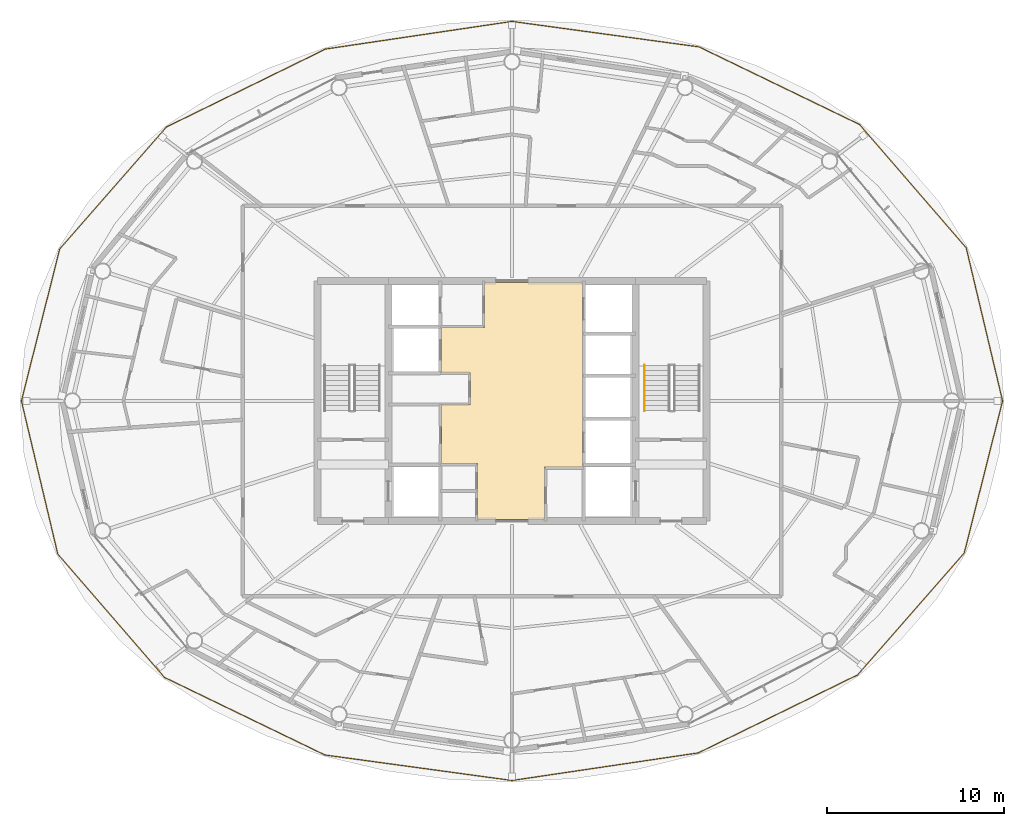
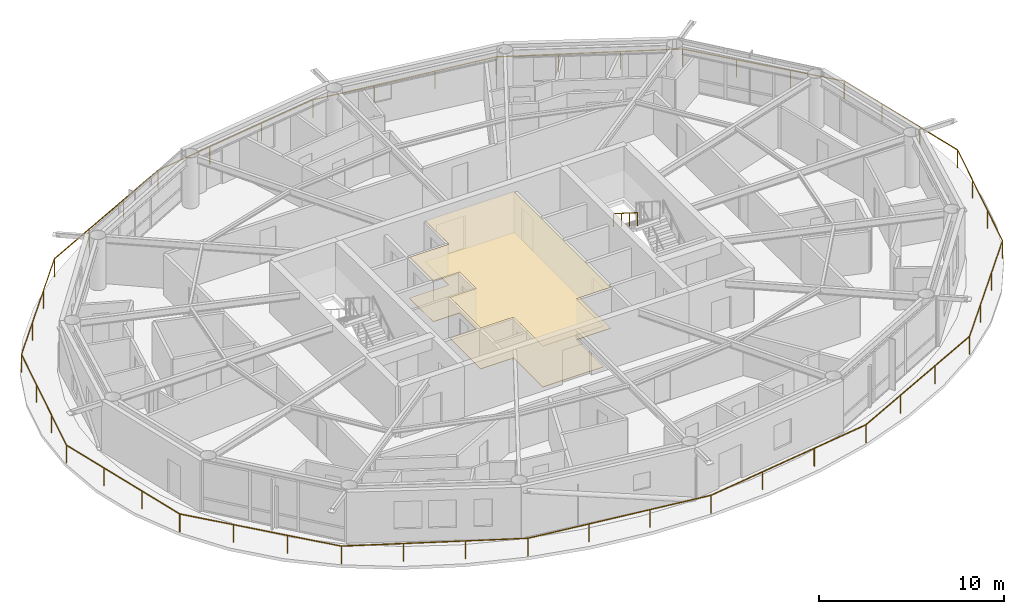
# One storey, part 22 of 23: 2 coverings, 2 railings.
"""IFC4 building model written with IfcOpenShell, lengths in metres."""

from ifc_helpers import new_model, si_unit, direction, frame, origin, origin_2d, place, context, subcontext, project, spatial, polyline, rectangle, outline, extrude, material, layer, layer_set, type_object, element, save


model = new_model("IFC4")

# Units and contexts
model_context = context("Model", 3, precision=1e-05, world=origin(), true_north=direction((0.0, 1.0)))
body_context = subcontext(model_context, "Body", "Model", "MODEL_VIEW")
ifc_project = project(units=[si_unit("LENGTHUNIT", "METRE"), si_unit("AREAUNIT", "SQUARE_METRE"), si_unit("VOLUMEUNIT", "CUBIC_METRE"), si_unit("PLANEANGLEUNIT", "RADIAN"), si_unit("MASSUNIT", "GRAM", prefix="KILO")], contexts=[model_context])

# Site, building, storey
site_placement = place(None, origin())
site = spatial("IfcSite", under=ifc_project, at=site_placement, CompositionType="ELEMENT")
building_placement = place(site_placement, origin())
building = spatial("IfcBuilding", under=site, at=building_placement, Name="Sarneth Arch Tower", CompositionType="ELEMENT")
storey_placement = place(building_placement, frame((0.0, 0.0, 224.39990234375)))
storey = spatial("IfcBuildingStorey", under=building, at=storey_placement, Name="L57", CompositionType="ELEMENT", Elevation=224.39990234375)

# Coverings
ifc_material_1 = material(Name="Perforated acoustic gypsum ceiling board")
ifc_layer_1 = layer(ifc_material_1, 0.02490234375)
ifc_layer_set_1 = layer_set([ifc_layer_1], Name="Perforated acoustic gypsum ceiling board")
covering_type_1 = type_object("IfcCoveringType", Name="COV-CEIL-GYP", PredefinedType="CEILING", material=ifc_layer_set_1)
covering_1_placement = place(storey_placement, frame((0.0, 0.0, 2.690185546875)))
element("IfcCovering", 1, at=covering_1_placement, inside=storey, type_object=covering_type_1, Name="L57 Lift lobby acoustic ceiling", PredefinedType="CEILING", context=body_context, shape_type="SweptSolid", body=[
    extrude(outline(polyline([(49.85009765625, 38.25), (49.85009765625, 35.300048828125), (46.050048828125, 35.300048828125), (46.050048828125, 38.449951171875), (44.0, 38.449951171875), (44.0, 41.800048828125), (45.64990234375, 41.800048828125), (45.64990234375, 43.580078125), (44.0, 43.580078125), (44.0, 46.14990234375), (46.449951171875, 46.14990234375), (46.449951171875, 48.699951171875), (52.0, 48.699951171875), (52.0, 38.25), (49.85009765625, 38.25)])), origin(), (0.0, 0.0, 1.0), 0.030029296875),
])
ifc_material_2 = material(Name="Honed granite stone flooring", Category="masonry")
ifc_layer_2 = layer(ifc_material_2, 0.030029296875)
ifc_layer_set_2 = layer_set([ifc_layer_2], Name="Honed granite stone flooring")
covering_type_2 = type_object("IfcCoveringType", Name="COV-FLR-STONE", PredefinedType="FLOORING", material=ifc_layer_set_2)
covering_2_placement = place(storey_placement, origin())
element("IfcCovering", 2, at=covering_2_placement, inside=storey, type_object=covering_type_2, Name="L57 Lift lobby granite flooring", PredefinedType="FLOORING", context=body_context, shape_type="SweptSolid", body=[
    extrude(outline(polyline([(49.85009765625, 38.25), (49.85009765625, 35.300048828125), (46.050048828125, 35.300048828125), (46.050048828125, 38.449951171875), (44.0, 38.449951171875), (44.0, 41.800048828125), (45.64990234375, 41.800048828125), (45.64990234375, 43.580078125), (44.0, 43.580078125), (44.0, 46.14990234375), (46.449951171875, 46.14990234375), (46.449951171875, 48.699951171875), (52.0, 48.699951171875), (52.0, 38.25), (49.85009765625, 38.25)])), origin(), (0.0, 0.0, 1.0), 0.030029296875),
])

# Railings
ifc_material_3 = material(Name="Laminated structural glass infill with Stainless Steel 316 top rail and posts", Category="steel")
railing_type_1 = type_object("IfcRailingType", Name="RAIL-BALC-1200", PredefinedType="BALUSTRADE", material=ifc_material_3)
railing_1_placement = place(storey_placement, frame((75.768310546875, 42.0, 0.0)))
element("IfcRailing", 3, at=railing_1_placement, inside=storey, type_object=railing_type_1, Name="L57 Helical balcony glass balustrade", PredefinedType="BALUSTRADE", context=body_context, shape_type="SweptSolid", body=[
    extrude(rectangle(XDim=0.048095703125, YDim=0.048095703125, at=origin_2d()), frame((0.0, 0.0, 1.17578125), z_axis=(-0.231221596617, 0.972901111757, 0.0), x_axis=(-0.972901111757, -0.231221596617, 0.0)), (0.0, 0.0, 1.0), 8.908447265625),
    extrude(rectangle(XDim=0.048095703125, YDim=0.048095703125, at=origin_2d()), frame((-2.059814453125, 8.6669921875, 1.17578125), z_axis=(-0.654200188269, 0.756321435415, 0.0), x_axis=(-0.756321435415, -0.654200188269, 0.0)), (0.0, 0.0, 1.0), 9.23046875),
    extrude(rectangle(XDim=0.048095703125, YDim=0.048095703125, at=origin_2d()), frame((-8.098388671875, 15.648193359375, 1.17578125), z_axis=(-0.900286527893, 0.435297791971, 0.0), x_axis=(-0.435297791971, -0.900286527893, 0.0)), (0.0, 0.0, 1.0), 10.08935546875),
    extrude(rectangle(XDim=0.048095703125, YDim=0.048095703125, at=origin_2d()), frame((-17.181640625, 20.0400390625, 1.17578125), z_axis=(-0.990842816923, 0.135020413837, 0.0), x_axis=(-0.135020413837, -0.990842816923, 0.0)), (0.0, 0.0, 1.0), 10.6845703125),
    extrude(rectangle(XDim=0.048095703125, YDim=0.048095703125, at=origin_2d()), frame((-27.768310546875, 21.482666015625, 1.17578125), z_axis=(-0.989194118456, -0.146611718538, 0.0), x_axis=(0.146611718538, -0.989194118456, 0.0)), (0.0, 0.0, 1.0), 10.6640625),
    extrude(rectangle(XDim=0.048095703125, YDim=0.048095703125, at=origin_2d()), frame((-38.317138671875, 19.919189453125, 1.17578125), z_axis=(-0.898079768789, -0.439832614629, 0.0), x_axis=(0.439832614629, -0.898079768789, 0.0)), (0.0, 0.0, 1.0), 10.036376953125),
    extrude(rectangle(XDim=0.048095703125, YDim=0.048095703125, at=origin_2d()), frame((-47.33056640625, 15.5048828125, 1.17578125), z_axis=(-0.658408442703, -0.75266082838, 0.0), x_axis=(0.75266082838, -0.658408442703, 0.0)), (0.0, 0.0, 1.0), 9.1669921875),
    extrude(rectangle(XDim=0.048095703125, YDim=0.048095703125, at=origin_2d()), frame((-53.3662109375, 8.605224609375, 1.17578125), z_axis=(-0.244561103578, -0.96963388277, 0.0), x_axis=(0.96963388277, -0.244561103578, 0.0)), (0.0, 0.0, 1.0), 8.874755859375),
    extrude(rectangle(XDim=0.048095703125, YDim=0.048095703125, at=origin_2d()), frame((-55.53662109375, 0.0, 1.17578125), z_axis=(0.231221596617, -0.972901111757, 0.0), x_axis=(0.972901111757, 0.231221596617, 0.0)), (0.0, 0.0, 1.0), 8.908447265625),
    extrude(rectangle(XDim=0.048095703125, YDim=0.048095703125, at=origin_2d()), frame((-53.476806640625, -8.6669921875, 1.17578125), z_axis=(0.654200188269, -0.756321435415, 0.0), x_axis=(0.756321435415, 0.654200188269, 0.0)), (0.0, 0.0, 1.0), 9.23046875),
    extrude(rectangle(XDim=0.048095703125, YDim=0.048095703125, at=origin_2d()), frame((-47.438232421875, -15.648193359375, 1.17578125), z_axis=(0.900286527893, -0.435297791971, 0.0), x_axis=(0.435297791971, 0.900286527893, 0.0)), (0.0, 0.0, 1.0), 10.08935546875),
    extrude(rectangle(XDim=0.048095703125, YDim=0.048095703125, at=origin_2d()), frame((-38.35498046875, -20.0400390625, 1.17578125), z_axis=(0.990842816923, -0.135020413837, 0.0), x_axis=(0.135020413837, 0.990842816923, 0.0)), (0.0, 0.0, 1.0), 10.6845703125),
    extrude(rectangle(XDim=0.048095703125, YDim=0.048095703125, at=origin_2d()), frame((-27.768310546875, -21.482666015625, 1.17578125), z_axis=(0.989194118456, 0.146611718538, 0.0), x_axis=(-0.146611718538, 0.989194118456, 0.0)), (0.0, 0.0, 1.0), 10.6640625),
    extrude(rectangle(XDim=0.048095703125, YDim=0.048095703125, at=origin_2d()), frame((-17.219482421875, -19.919189453125, 1.17578125), z_axis=(0.898079768789, 0.439832614629, 0.0), x_axis=(-0.439832614629, 0.898079768789, 0.0)), (0.0, 0.0, 1.0), 10.036376953125),
    extrude(rectangle(XDim=0.048095703125, YDim=0.048095703125, at=origin_2d()), frame((-8.2060546875, -15.5048828125, 1.17578125), z_axis=(0.658408442703, 0.75266082838, 0.0), x_axis=(-0.75266082838, 0.658408442703, 0.0)), (0.0, 0.0, 1.0), 9.1669921875),
    extrude(rectangle(XDim=0.048095703125, YDim=0.048095703125, at=origin_2d()), frame((-2.17041015625, -8.605224609375, 1.17578125), z_axis=(0.244561103578, 0.96963388277, 0.0), x_axis=(-0.96963388277, 0.244561103578, 0.0)), (0.0, 0.0, 1.0), 8.874755859375),
    extrude(rectangle(XDim=0.0419921875, YDim=0.0419921875, at=origin_2d()), origin(), (0.0, 0.0, 1.0), 1.15185546875),
    extrude(rectangle(XDim=0.0419921875, YDim=0.0419921875, at=origin_2d()), frame((-0.6865234375, 2.888916015625, 0.0)), (0.0, 0.0, 1.0), 1.15185546875),
    extrude(rectangle(XDim=0.0419921875, YDim=0.0419921875, at=origin_2d()), frame((-1.373291015625, 5.778076171875, 0.0)), (0.0, 0.0, 1.0), 1.15185546875),
    extrude(rectangle(XDim=0.0419921875, YDim=0.0419921875, at=origin_2d()), frame((-2.059814453125, 8.6669921875, 0.0)), (0.0, 0.0, 1.0), 1.15185546875),
    extrude(rectangle(XDim=0.0419921875, YDim=0.0419921875, at=origin_2d()), frame((-4.07275390625, 10.994140625, 0.0)), (0.0, 0.0, 1.0), 1.15185546875),
    extrude(rectangle(XDim=0.0419921875, YDim=0.0419921875, at=origin_2d()), frame((-6.08544921875, 13.321044921875, 0.0)), (0.0, 0.0, 1.0), 1.15185546875),
    extrude(rectangle(XDim=0.0419921875, YDim=0.0419921875, at=origin_2d()), frame((-8.098388671875, 15.648193359375, 0.0)), (0.0, 0.0, 1.0), 1.15185546875),
    extrude(rectangle(XDim=0.0419921875, YDim=0.0419921875, at=origin_2d()), frame((-11.126220703125, 17.112060546875, 0.0)), (0.0, 0.0, 1.0), 1.15185546875),
    extrude(rectangle(XDim=0.0419921875, YDim=0.0419921875, at=origin_2d()), frame((-14.15380859375, 18.576171875, 0.0)), (0.0, 0.0, 1.0), 1.15185546875),
    extrude(rectangle(XDim=0.0419921875, YDim=0.0419921875, at=origin_2d()), frame((-17.181640625, 20.0400390625, 0.0)), (0.0, 0.0, 1.0), 1.15185546875),
    extrude(rectangle(XDim=0.0419921875, YDim=0.0419921875, at=origin_2d()), frame((-20.71044921875, 20.52099609375, 0.0)), (0.0, 0.0, 1.0), 1.15185546875),
    extrude(rectangle(XDim=0.0419921875, YDim=0.0419921875, at=origin_2d()), frame((-24.239501953125, 21.001708984375, 0.0)), (0.0, 0.0, 1.0), 1.15185546875),
    extrude(rectangle(XDim=0.0419921875, YDim=0.0419921875, at=origin_2d()), frame((-27.768310546875, 21.482666015625, 0.0)), (0.0, 0.0, 1.0), 1.15185546875),
    extrude(rectangle(XDim=0.0419921875, YDim=0.0419921875, at=origin_2d()), frame((-31.28466796875, 20.96142578125, 0.0)), (0.0, 0.0, 1.0), 1.15185546875),
    extrude(rectangle(XDim=0.0419921875, YDim=0.0419921875, at=origin_2d()), frame((-34.80078125, 20.4404296875, 0.0)), (0.0, 0.0, 1.0), 1.15185546875),
    extrude(rectangle(XDim=0.0419921875, YDim=0.0419921875, at=origin_2d()), frame((-38.317138671875, 19.919189453125, 0.0)), (0.0, 0.0, 1.0), 1.15185546875),
    extrude(rectangle(XDim=0.0419921875, YDim=0.0419921875, at=origin_2d()), frame((-41.321533203125, 18.44775390625, 0.0)), (0.0, 0.0, 1.0), 1.15185546875),
    extrude(rectangle(XDim=0.0419921875, YDim=0.0419921875, at=origin_2d()), frame((-44.326171875, 16.976318359375, 0.0)), (0.0, 0.0, 1.0), 1.15185546875),
    extrude(rectangle(XDim=0.0419921875, YDim=0.0419921875, at=origin_2d()), frame((-47.33056640625, 15.5048828125, 0.0)), (0.0, 0.0, 1.0), 1.15185546875),
    extrude(rectangle(XDim=0.0419921875, YDim=0.0419921875, at=origin_2d()), frame((-49.342529296875, 13.205078125, 0.0)), (0.0, 0.0, 1.0), 1.15185546875),
    extrude(rectangle(XDim=0.0419921875, YDim=0.0419921875, at=origin_2d()), frame((-51.354248046875, 10.905029296875, 0.0)), (0.0, 0.0, 1.0), 1.15185546875),
    extrude(rectangle(XDim=0.0419921875, YDim=0.0419921875, at=origin_2d()), frame((-53.3662109375, 8.605224609375, 0.0)), (0.0, 0.0, 1.0), 1.15185546875),
    extrude(rectangle(XDim=0.0419921875, YDim=0.0419921875, at=origin_2d()), frame((-54.089599609375, 5.73681640625, 0.0)), (0.0, 0.0, 1.0), 1.15185546875),
    extrude(rectangle(XDim=0.0419921875, YDim=0.0419921875, at=origin_2d()), frame((-54.813232421875, 2.868408203125, 0.0)), (0.0, 0.0, 1.0), 1.15185546875),
    extrude(rectangle(XDim=0.0419921875, YDim=0.0419921875, at=origin_2d()), frame((-55.53662109375, 0.0, 0.0)), (0.0, 0.0, 1.0), 1.15185546875),
    extrude(rectangle(XDim=0.0419921875, YDim=0.0419921875, at=origin_2d()), frame((-54.85009765625, -2.888916015625, 0.0)), (0.0, 0.0, 1.0), 1.15185546875),
    extrude(rectangle(XDim=0.0419921875, YDim=0.0419921875, at=origin_2d()), frame((-54.163330078125, -5.778076171875, 0.0)), (0.0, 0.0, 1.0), 1.15185546875),
    extrude(rectangle(XDim=0.0419921875, YDim=0.0419921875, at=origin_2d()), frame((-53.476806640625, -8.6669921875, 0.0)), (0.0, 0.0, 1.0), 1.15185546875),
    extrude(rectangle(XDim=0.0419921875, YDim=0.0419921875, at=origin_2d()), frame((-51.4638671875, -10.994140625, 0.0)), (0.0, 0.0, 1.0), 1.15185546875),
    extrude(rectangle(XDim=0.0419921875, YDim=0.0419921875, at=origin_2d()), frame((-49.451171875, -13.321044921875, 0.0)), (0.0, 0.0, 1.0), 1.15185546875),
    extrude(rectangle(XDim=0.0419921875, YDim=0.0419921875, at=origin_2d()), frame((-47.438232421875, -15.648193359375, 0.0)), (0.0, 0.0, 1.0), 1.15185546875),
    extrude(rectangle(XDim=0.0419921875, YDim=0.0419921875, at=origin_2d()), frame((-44.410400390625, -17.112060546875, 0.0)), (0.0, 0.0, 1.0), 1.15185546875),
    extrude(rectangle(XDim=0.0419921875, YDim=0.0419921875, at=origin_2d()), frame((-41.3828125, -18.576171875, 0.0)), (0.0, 0.0, 1.0), 1.15185546875),
    extrude(rectangle(XDim=0.0419921875, YDim=0.0419921875, at=origin_2d()), frame((-38.35498046875, -20.0400390625, 0.0)), (0.0, 0.0, 1.0), 1.15185546875),
    extrude(rectangle(XDim=0.0419921875, YDim=0.0419921875, at=origin_2d()), frame((-34.826171875, -20.52099609375, 0.0)), (0.0, 0.0, 1.0), 1.15185546875),
    extrude(rectangle(XDim=0.0419921875, YDim=0.0419921875, at=origin_2d()), frame((-31.297119140625, -21.001708984375, 0.0)), (0.0, 0.0, 1.0), 1.15185546875),
    extrude(rectangle(XDim=0.0419921875, YDim=0.0419921875, at=origin_2d()), frame((-27.768310546875, -21.482666015625, 0.0)), (0.0, 0.0, 1.0), 1.15185546875),
    extrude(rectangle(XDim=0.0419921875, YDim=0.0419921875, at=origin_2d()), frame((-24.251953125, -20.96142578125, 0.0)), (0.0, 0.0, 1.0), 1.15185546875),
    extrude(rectangle(XDim=0.0419921875, YDim=0.0419921875, at=origin_2d()), frame((-20.73583984375, -20.4404296875, 0.0)), (0.0, 0.0, 1.0), 1.15185546875),
    extrude(rectangle(XDim=0.0419921875, YDim=0.0419921875, at=origin_2d()), frame((-17.219482421875, -19.919189453125, 0.0)), (0.0, 0.0, 1.0), 1.15185546875),
    extrude(rectangle(XDim=0.0419921875, YDim=0.0419921875, at=origin_2d()), frame((-14.215087890625, -18.44775390625, 0.0)), (0.0, 0.0, 1.0), 1.15185546875),
    extrude(rectangle(XDim=0.0419921875, YDim=0.0419921875, at=origin_2d()), frame((-11.21044921875, -16.976318359375, 0.0)), (0.0, 0.0, 1.0), 1.15185546875),
    extrude(rectangle(XDim=0.0419921875, YDim=0.0419921875, at=origin_2d()), frame((-8.2060546875, -15.5048828125, 0.0)), (0.0, 0.0, 1.0), 1.15185546875),
    extrude(rectangle(XDim=0.0419921875, YDim=0.0419921875, at=origin_2d()), frame((-6.194091796875, -13.205078125, 0.0)), (0.0, 0.0, 1.0), 1.15185546875),
    extrude(rectangle(XDim=0.0419921875, YDim=0.0419921875, at=origin_2d()), frame((-4.182373046875, -10.905029296875, 0.0)), (0.0, 0.0, 1.0), 1.15185546875),
    extrude(rectangle(XDim=0.0419921875, YDim=0.0419921875, at=origin_2d()), frame((-2.17041015625, -8.605224609375, 0.0)), (0.0, 0.0, 1.0), 1.15185546875),
    extrude(rectangle(XDim=0.0419921875, YDim=0.0419921875, at=origin_2d()), frame((-1.447021484375, -5.73681640625, 0.0)), (0.0, 0.0, 1.0), 1.15185546875),
    extrude(rectangle(XDim=0.0419921875, YDim=0.0419921875, at=origin_2d()), frame((-0.723388671875, -2.868408203125, 0.0)), (0.0, 0.0, 1.0), 1.15185546875),
])
ifc_material_4 = material(Name="Brushed Stainless Steel 304 tubular handrail", Category="steel")
railing_type_2 = type_object("IfcRailingType", Name="RAIL-HANDRAIL-900", PredefinedType="HANDRAIL", material=ifc_material_4)
railing_2_placement = place(storey_placement, frame((55.5, 44.014892578125, 1.97998046875)))
element("IfcRailing", 4, at=railing_2_placement, inside=storey, type_object=railing_type_2, Name="L57 ST-2 stair handrail 2", PredefinedType="HANDRAIL", context=body_context, shape_type="SweptSolid", body=[
    extrude(rectangle(XDim=0.048095703125, YDim=0.048095703125, at=origin_2d()), frame((0.0, 0.0, 0.8759765625), z_axis=(0.0, -0.845465955043, 0.534029323973), x_axis=(1.0, 0.0, 0.0)), (0.0, 0.0, 1.0), 3.03369140625),
    extrude(rectangle(XDim=0.0419921875, YDim=0.0419921875, at=origin_2d()), origin(), (0.0, 0.0, 1.0), 0.851806640625),
    extrude(rectangle(XDim=0.0419921875, YDim=0.0419921875, at=origin_2d()), frame((0.0, -0.85498046875, 0.5400390625)), (0.0, 0.0, 1.0), 0.851806640625),
    extrude(rectangle(XDim=0.0419921875, YDim=0.0419921875, at=origin_2d()), frame((0.0, -1.7099609375, 1.080078125)), (0.0, 0.0, 1.0), 0.851806640625),
    extrude(rectangle(XDim=0.0419921875, YDim=0.0419921875, at=origin_2d()), frame((0.0, -2.56494140625, 1.6201171875)), (0.0, 0.0, 1.0), 0.851806640625),
])

save(model, "model.ifc")
